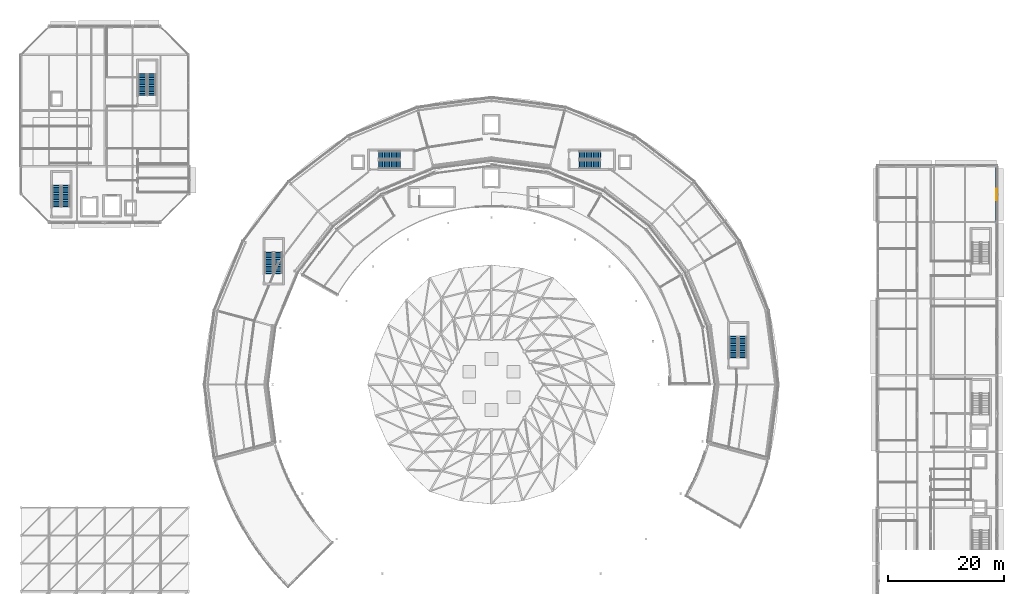
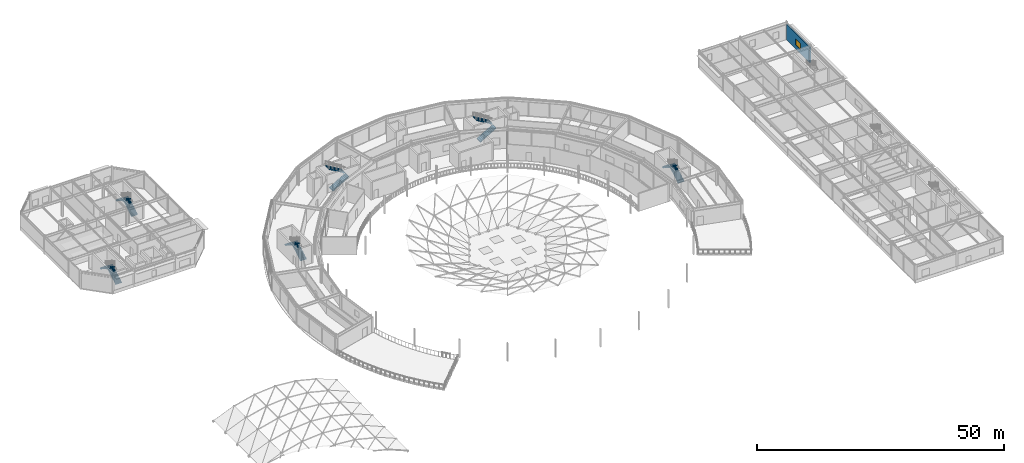
# One storey, part 91 of 116: 12 stair flights, 1 wall, 1 window, 1 opening, 6 elements without a shape of their own.
"""IFC4 building model written with IfcOpenShell, lengths in metres."""

from ifc_helpers import new_model, si_unit, direction, frame, frame_2d, origin, place, context, subcontext, project, spatial, polyline, rectangle, outline, extrude, material, layer, layer_set, type_object, element, fill, aggregate, save


model = new_model("IFC4")

# Units and contexts
model_context = context("Model", 3, precision=1e-05, world=origin(), true_north=direction((0.0, 1.0)))
body_context = subcontext(model_context, "Body", "Model", "MODEL_VIEW")
ifc_project = project(units=[si_unit("LENGTHUNIT", "METRE"), si_unit("AREAUNIT", "SQUARE_METRE"), si_unit("VOLUMEUNIT", "CUBIC_METRE"), si_unit("PLANEANGLEUNIT", "RADIAN"), si_unit("MASSUNIT", "GRAM", prefix="KILO")], contexts=[model_context])

# Site, building, storey
site_placement = place(None, origin())
site = spatial("IfcSite", under=ifc_project, at=site_placement, CompositionType="ELEMENT")
building_placement = place(site_placement, origin())
building = spatial("IfcBuilding", under=site, at=building_placement, Name="Almandine Court Research Institute", CompositionType="ELEMENT")
storey_placement = place(building_placement, frame((0.0, 0.0, 14.35009765625)))
storey = spatial("IfcBuildingStorey", under=building, at=storey_placement, Name="L03", CompositionType="ELEMENT", Elevation=14.35009765625)

# Wall, opening, window
ifc_material_1 = material(Name="Insulated Ochre Terracotta Rainscreen Wall", Category="masonry")
ifc_layer = layer(ifc_material_1, 0.2900390625)
ifc_layer_set = layer_set([ifc_layer], Name="Insulated Ochre Terracotta Rainscreen Wall")
wall_type = type_object("IfcWallType", Name="Wall-EXT-TERR-290", PredefinedType="SOLIDWALL", material=ifc_layer_set)
wall_placement = place(storey_placement, frame((174.0, 93.450927734375, 0.0), z_axis=(0.0, 0.0, 1.0), x_axis=(0.0, -1.0, 0.0)))
wall = element("IfcWall", 1, at=wall_placement, inside=storey, type_object=wall_type, Name="L03 Wet Lab East Facade Wall 8", PredefinedType="SOLIDWALL", context=body_context, shape_type="SweptSolid", body=[
    extrude(rectangle(XDim=9.447021484375, YDim=0.2900390625, at=frame_2d((4.7236328125, 0.0))), origin(), (0.0, 0.0, 1.0), 3.8369140625),
])
opening_placement = place(wall_placement, frame((3.702880859375, 0.0, 0.949951171875)))
opening = element("IfcOpeningElement", 2, at=opening_placement, cuts=wall, Name="Opening WN-18", PredefinedType="OPENING", context=body_context, shape_type="SweptSolid", body=[
    extrude(rectangle(XDim=2.0400390625, YDim=1.56005859375, at=frame_2d((1.02001953125, 0.780029296875))), frame((0.0, 0.155029296875, 0.0), z_axis=(0.0, -1.0, 0.0), x_axis=(1.0, 0.0, 0.0)), (0.0, 0.0, 1.0), 0.31005859375),
])
ifc_material_2 = material(Name="Thermally Broken Low-E Double-Glazed Window", Category="glass")
window_type = type_object("IfcWindowType", Name="Win-WN-18-2040x1560", PartitioningType="SINGLE_PANEL", PredefinedType="WINDOW", material=ifc_material_2)
window_placement = place(opening_placement, origin())
window = element("IfcWindow", 3, at=window_placement, inside=storey, type_object=window_type, Name="L03 Modular Recessed Low-E Window 120", OverallHeight=1.56005859375, OverallWidth=2.0400390625, PartitioningType="SINGLE_PANEL", PredefinedType="WINDOW", context=body_context, shape_type="SweptSolid", body=[
    extrude(rectangle(XDim=2.0400390625, YDim=1.56005859375, at=frame_2d((1.02001953125, 0.780029296875))), frame((0.0, 0.030029296875, 0.0), z_axis=(0.0, -1.0, 0.0), x_axis=(1.0, 0.0, 0.0)), (0.0, 0.0, 1.0), 0.06005859375),
])
fill(opening, window)

# Stair, stair flights
ifc_material_3 = material(Name="Concrete C35/45", Category="concrete")
stair_type = type_object("IfcStairType", Name="Stair-Core-26R", PredefinedType="HALF_TURN_STAIR", material=ifc_material_3)
stair_1_placement = place(storey_placement, origin())
stair_1 = element("IfcStair", 4, at=stair_1_placement, inside=storey, type_object=stair_type, Name="L03 Cleanroom Pavilion South Exit Stair", PredefinedType="HALF_TURN_STAIR")
stair_flight_type = type_object("IfcStairFlightType", Name="Flight-Core-26R", PredefinedType="STRAIGHT", material=ifc_material_3)
stair_flight_1_placement = place(storey_placement, frame((13.68994140625, 86.64990234375, 0.0), z_axis=(0.0, 0.0, 1.0), x_axis=(0.0, 1.0, 0.0)))
stair_flight_1 = element("IfcStairFlight", 5, at=stair_flight_1_placement, type_object=stair_flight_type, Name="ST-05 flight 1", NumberOfRisers=13, NumberOfTreads=12, PredefinedType="STRAIGHT", RiserHeight=0.175, TreadLength=0.3, context=body_context, shape_type="SweptSolid", body=[
    extrude(outline(polyline([(-0.080078125, -0.139892578125), (-0.080078125, 0.0), (0.0, 0.0), (0.0, 0.175048828125), (0.300048828125, 0.175048828125), (0.300048828125, 0.35009765625), (0.60009765625, 0.35009765625), (0.60009765625, 0.52490234375), (0.89990234375, 0.52490234375), (0.89990234375, 0.699951171875), (1.199951171875, 0.699951171875), (1.199951171875, 0.875), (1.5, 0.875), (1.5, 1.050048828125), (1.800048828125, 1.050048828125), (1.800048828125, 1.22509765625), (2.10009765625, 1.22509765625), (2.10009765625, 1.39990234375), (2.39990234375, 1.39990234375), (2.39990234375, 1.574951171875), (2.699951171875, 1.574951171875), (2.699951171875, 1.75), (3.0, 1.75), (3.0, 1.925048828125), (3.300048828125, 1.925048828125), (3.300048828125, 2.10009765625), (3.60009765625, 2.10009765625), (3.60009765625, 2.27490234375), (3.679931640625, 2.27490234375), (3.679931640625, 2.114990234375), (3.60009765625, 1.914794921875), (0.3173828125, 0.0), (0.3173828125, -0.139892578125), (-0.080078125, -0.139892578125)])), frame((0.0, 0.7099609375, 0.0), z_axis=(0.0, -1.0, 0.0), x_axis=(1.0, 0.0, 0.0)), (0.0, 0.0, 1.0), 1.419921875),
])
stair_flight_2_placement = place(storey_placement, frame((12.110107421875, 90.25, 2.27490234375), z_axis=(0.0, 0.0, 1.0), x_axis=(0.0, -1.0, 0.0)))
stair_flight_2 = element("IfcStairFlight", 6, at=stair_flight_2_placement, type_object=stair_flight_type, Name="ST-05 flight 2", NumberOfRisers=13, NumberOfTreads=12, PredefinedType="STRAIGHT", RiserHeight=0.175, TreadLength=0.3, context=body_context, shape_type="SweptSolid", body=[
    extrude(outline(polyline([(-0.080078125, -0.139892578125), (-0.080078125, 0.0), (0.0, 0.0), (0.0, 0.175048828125), (0.300048828125, 0.175048828125), (0.300048828125, 0.35009765625), (0.60009765625, 0.35009765625), (0.60009765625, 0.52490234375), (0.89990234375, 0.52490234375), (0.89990234375, 0.699951171875), (1.199951171875, 0.699951171875), (1.199951171875, 0.875), (1.5, 0.875), (1.5, 1.050048828125), (1.800048828125, 1.050048828125), (1.800048828125, 1.22509765625), (2.10009765625, 1.22509765625), (2.10009765625, 1.39990234375), (2.39990234375, 1.39990234375), (2.39990234375, 1.574951171875), (2.699951171875, 1.574951171875), (2.699951171875, 1.75), (3.0, 1.75), (3.0, 1.925048828125), (3.300048828125, 1.925048828125), (3.300048828125, 2.10009765625), (3.60009765625, 2.10009765625), (3.60009765625, 2.27490234375), (3.679931640625, 2.27490234375), (3.679931640625, 2.114990234375), (3.60009765625, 1.914794921875), (0.3173828125, 0.0), (0.3173828125, -0.139892578125), (-0.080078125, -0.139892578125)])), frame((0.0, 0.7099609375, 0.0), z_axis=(0.0, -1.0, 0.0), x_axis=(1.0, 0.0, 0.0)), (0.0, 0.0, 1.0), 1.419921875),
])
aggregate(stair_1, [stair_flight_1, stair_flight_2])

stair_2_placement = place(storey_placement, origin())
stair_2 = element("IfcStair", 7, at=stair_2_placement, inside=storey, type_object=stair_type, Name="L03 Cleanroom Pavilion North Exit Stair", PredefinedType="HALF_TURN_STAIR")
stair_flight_3_placement = place(storey_placement, frame((28.489990234375, 105.85009765625, 0.0), z_axis=(0.0, 0.0, 1.0), x_axis=(0.0, 1.0, 0.0)))
stair_flight_3 = element("IfcStairFlight", 8, at=stair_flight_3_placement, type_object=stair_flight_type, Name="ST-06 flight 1", NumberOfRisers=13, NumberOfTreads=12, PredefinedType="STRAIGHT", RiserHeight=0.175, TreadLength=0.3, context=body_context, shape_type="SweptSolid", body=[
    extrude(outline(polyline([(-0.080078125, -0.139892578125), (-0.080078125, 0.0), (0.0, 0.0), (0.0, 0.175048828125), (0.300048828125, 0.175048828125), (0.300048828125, 0.35009765625), (0.60009765625, 0.35009765625), (0.60009765625, 0.52490234375), (0.89990234375, 0.52490234375), (0.89990234375, 0.699951171875), (1.199951171875, 0.699951171875), (1.199951171875, 0.875), (1.5, 0.875), (1.5, 1.050048828125), (1.800048828125, 1.050048828125), (1.800048828125, 1.22509765625), (2.10009765625, 1.22509765625), (2.10009765625, 1.39990234375), (2.39990234375, 1.39990234375), (2.39990234375, 1.574951171875), (2.699951171875, 1.574951171875), (2.699951171875, 1.75), (3.0, 1.75), (3.0, 1.925048828125), (3.300048828125, 1.925048828125), (3.300048828125, 2.10009765625), (3.60009765625, 2.10009765625), (3.60009765625, 2.27490234375), (3.679931640625, 2.27490234375), (3.679931640625, 2.114990234375), (3.60009765625, 1.914794921875), (0.3173828125, 0.0), (0.3173828125, -0.139892578125), (-0.080078125, -0.139892578125)])), frame((0.0, 0.7099609375, 0.0), z_axis=(0.0, -1.0, 0.0), x_axis=(1.0, 0.0, 0.0)), (0.0, 0.0, 1.0), 1.419921875),
])
stair_flight_4_placement = place(storey_placement, frame((26.909912109375, 109.449951171875, 2.27490234375), z_axis=(0.0, 0.0, 1.0), x_axis=(0.0, -1.0, 0.0)))
stair_flight_4 = element("IfcStairFlight", 9, at=stair_flight_4_placement, type_object=stair_flight_type, Name="ST-06 flight 2", NumberOfRisers=13, NumberOfTreads=12, PredefinedType="STRAIGHT", RiserHeight=0.175, TreadLength=0.3, context=body_context, shape_type="SweptSolid", body=[
    extrude(outline(polyline([(-0.080078125, -0.139892578125), (-0.080078125, 0.0), (0.0, 0.0), (0.0, 0.175048828125), (0.300048828125, 0.175048828125), (0.300048828125, 0.35009765625), (0.60009765625, 0.35009765625), (0.60009765625, 0.52490234375), (0.89990234375, 0.52490234375), (0.89990234375, 0.699951171875), (1.199951171875, 0.699951171875), (1.199951171875, 0.875), (1.5, 0.875), (1.5, 1.050048828125), (1.800048828125, 1.050048828125), (1.800048828125, 1.22509765625), (2.10009765625, 1.22509765625), (2.10009765625, 1.39990234375), (2.39990234375, 1.39990234375), (2.39990234375, 1.574951171875), (2.699951171875, 1.574951171875), (2.699951171875, 1.75), (3.0, 1.75), (3.0, 1.925048828125), (3.300048828125, 1.925048828125), (3.300048828125, 2.10009765625), (3.60009765625, 2.10009765625), (3.60009765625, 2.27490234375), (3.679931640625, 2.27490234375), (3.679931640625, 2.114990234375), (3.60009765625, 1.914794921875), (0.3173828125, 0.0), (0.3173828125, -0.139892578125), (-0.080078125, -0.139892578125)])), frame((0.0, 0.7099609375, 0.0), z_axis=(0.0, -1.0, 0.0), x_axis=(1.0, 0.0, 0.0)), (0.0, 0.0, 1.0), 1.419921875),
])
aggregate(stair_2, [stair_flight_3, stair_flight_4])

stair_3_placement = place(storey_placement, origin())
stair_3 = element("IfcStair", 10, at=stair_3_placement, inside=storey, type_object=stair_type, Name="L03 Drum Northeast Exit Stair", PredefinedType="HALF_TURN_STAIR")
stair_flight_5_placement = place(storey_placement, frame((102.14990234375, 93.909912109375, 0.0), z_axis=(0.0, 0.0, 1.0), x_axis=(1.0, 0.0, 0.0)))
stair_flight_5 = element("IfcStairFlight", 11, at=stair_flight_5_placement, type_object=stair_flight_type, Name="ST-09 flight 1", NumberOfRisers=13, NumberOfTreads=12, PredefinedType="STRAIGHT", RiserHeight=0.175, TreadLength=0.3, context=body_context, shape_type="SweptSolid", body=[
    extrude(outline(polyline([(-0.080078125, -0.139892578125), (-0.080078125, 0.0), (0.0, 0.0), (0.0, 0.175048828125), (0.300048828125, 0.175048828125), (0.300048828125, 0.35009765625), (0.60009765625, 0.35009765625), (0.60009765625, 0.52490234375), (0.89990234375, 0.52490234375), (0.89990234375, 0.699951171875), (1.199951171875, 0.699951171875), (1.199951171875, 0.875), (1.5, 0.875), (1.5, 1.050048828125), (1.800048828125, 1.050048828125), (1.800048828125, 1.22509765625), (2.10009765625, 1.22509765625), (2.10009765625, 1.39990234375), (2.39990234375, 1.39990234375), (2.39990234375, 1.574951171875), (2.699951171875, 1.574951171875), (2.699951171875, 1.75), (3.0, 1.75), (3.0, 1.925048828125), (3.300048828125, 1.925048828125), (3.300048828125, 2.10009765625), (3.60009765625, 2.10009765625), (3.60009765625, 2.27490234375), (3.679931640625, 2.27490234375), (3.679931640625, 2.114990234375), (3.60009765625, 1.914794921875), (0.3173828125, 0.0), (0.3173828125, -0.139892578125), (-0.080078125, -0.139892578125)])), frame((0.0, 0.7099609375, 0.0), z_axis=(0.0, -1.0, 0.0), x_axis=(1.0, 0.0, 0.0)), (0.0, 0.0, 1.0), 1.419921875),
])
stair_flight_6_placement = place(storey_placement, frame((105.75, 95.489990234375, 2.27490234375), z_axis=(0.0, 0.0, 1.0), x_axis=(-1.0, 0.0, 0.0)))
stair_flight_6 = element("IfcStairFlight", 12, at=stair_flight_6_placement, type_object=stair_flight_type, Name="ST-09 flight 2", NumberOfRisers=13, NumberOfTreads=12, PredefinedType="STRAIGHT", RiserHeight=0.175, TreadLength=0.3, context=body_context, shape_type="SweptSolid", body=[
    extrude(outline(polyline([(-0.080078125, -0.139892578125), (-0.080078125, 0.0), (0.0, 0.0), (0.0, 0.175048828125), (0.300048828125, 0.175048828125), (0.300048828125, 0.35009765625), (0.60009765625, 0.35009765625), (0.60009765625, 0.52490234375), (0.89990234375, 0.52490234375), (0.89990234375, 0.699951171875), (1.199951171875, 0.699951171875), (1.199951171875, 0.875), (1.5, 0.875), (1.5, 1.050048828125), (1.800048828125, 1.050048828125), (1.800048828125, 1.22509765625), (2.10009765625, 1.22509765625), (2.10009765625, 1.39990234375), (2.39990234375, 1.39990234375), (2.39990234375, 1.574951171875), (2.699951171875, 1.574951171875), (2.699951171875, 1.75), (3.0, 1.75), (3.0, 1.925048828125), (3.300048828125, 1.925048828125), (3.300048828125, 2.10009765625), (3.60009765625, 2.10009765625), (3.60009765625, 2.27490234375), (3.679931640625, 2.27490234375), (3.679931640625, 2.114990234375), (3.60009765625, 1.914794921875), (0.3173828125, 0.0), (0.3173828125, -0.139892578125), (-0.080078125, -0.139892578125)])), frame((0.0, 0.7099609375, 0.0), z_axis=(0.0, -1.0, 0.0), x_axis=(1.0, 0.0, 0.0)), (0.0, 0.0, 1.0), 1.419921875),
])
aggregate(stair_3, [stair_flight_5, stair_flight_6])

stair_4_placement = place(storey_placement, origin())
stair_4 = element("IfcStair", 13, at=stair_4_placement, inside=storey, type_object=stair_type, Name="L03 Drum Northwest Exit Stair", PredefinedType="HALF_TURN_STAIR")
stair_flight_7_placement = place(storey_placement, frame((67.64990234375, 93.909912109375, 0.0), z_axis=(0.0, 0.0, 1.0), x_axis=(1.0, 0.0, 0.0)))
stair_flight_7 = element("IfcStairFlight", 14, at=stair_flight_7_placement, type_object=stair_flight_type, Name="ST-10 flight 1", NumberOfRisers=13, NumberOfTreads=12, PredefinedType="STRAIGHT", RiserHeight=0.175, TreadLength=0.3, context=body_context, shape_type="SweptSolid", body=[
    extrude(outline(polyline([(-0.080078125, -0.139892578125), (-0.080078125, 0.0), (0.0, 0.0), (0.0, 0.175048828125), (0.300048828125, 0.175048828125), (0.300048828125, 0.35009765625), (0.60009765625, 0.35009765625), (0.60009765625, 0.52490234375), (0.89990234375, 0.52490234375), (0.89990234375, 0.699951171875), (1.199951171875, 0.699951171875), (1.199951171875, 0.875), (1.5, 0.875), (1.5, 1.050048828125), (1.800048828125, 1.050048828125), (1.800048828125, 1.22509765625), (2.10009765625, 1.22509765625), (2.10009765625, 1.39990234375), (2.39990234375, 1.39990234375), (2.39990234375, 1.574951171875), (2.699951171875, 1.574951171875), (2.699951171875, 1.75), (3.0, 1.75), (3.0, 1.925048828125), (3.300048828125, 1.925048828125), (3.300048828125, 2.10009765625), (3.60009765625, 2.10009765625), (3.60009765625, 2.27490234375), (3.679931640625, 2.27490234375), (3.679931640625, 2.114990234375), (3.60009765625, 1.914794921875), (0.3173828125, 0.0), (0.3173828125, -0.139892578125), (-0.080078125, -0.139892578125)])), frame((0.0, 0.7099609375, 0.0), z_axis=(0.0, -1.0, 0.0), x_axis=(1.0, 0.0, 0.0)), (0.0, 0.0, 1.0), 1.419921875),
])
stair_flight_8_placement = place(storey_placement, frame((71.25, 95.489990234375, 2.27490234375), z_axis=(0.0, 0.0, 1.0), x_axis=(-1.0, 0.0, 0.0)))
stair_flight_8 = element("IfcStairFlight", 15, at=stair_flight_8_placement, type_object=stair_flight_type, Name="ST-10 flight 2", NumberOfRisers=13, NumberOfTreads=12, PredefinedType="STRAIGHT", RiserHeight=0.175, TreadLength=0.3, context=body_context, shape_type="SweptSolid", body=[
    extrude(outline(polyline([(-0.080078125, -0.139892578125), (-0.080078125, 0.0), (0.0, 0.0), (0.0, 0.175048828125), (0.300048828125, 0.175048828125), (0.300048828125, 0.35009765625), (0.60009765625, 0.35009765625), (0.60009765625, 0.52490234375), (0.89990234375, 0.52490234375), (0.89990234375, 0.699951171875), (1.199951171875, 0.699951171875), (1.199951171875, 0.875), (1.5, 0.875), (1.5, 1.050048828125), (1.800048828125, 1.050048828125), (1.800048828125, 1.22509765625), (2.10009765625, 1.22509765625), (2.10009765625, 1.39990234375), (2.39990234375, 1.39990234375), (2.39990234375, 1.574951171875), (2.699951171875, 1.574951171875), (2.699951171875, 1.75), (3.0, 1.75), (3.0, 1.925048828125), (3.300048828125, 1.925048828125), (3.300048828125, 2.10009765625), (3.60009765625, 2.10009765625), (3.60009765625, 2.27490234375), (3.679931640625, 2.27490234375), (3.679931640625, 2.114990234375), (3.60009765625, 1.914794921875), (0.3173828125, 0.0), (0.3173828125, -0.139892578125), (-0.080078125, -0.139892578125)])), frame((0.0, 0.7099609375, 0.0), z_axis=(0.0, -1.0, 0.0), x_axis=(1.0, 0.0, 0.0)), (0.0, 0.0, 1.0), 1.419921875),
])
aggregate(stair_4, [stair_flight_7, stair_flight_8])

stair_5_placement = place(storey_placement, origin())
stair_5 = element("IfcStair", 16, at=stair_5_placement, inside=storey, type_object=stair_type, Name="L03 Drum East Exit Stair", PredefinedType="HALF_TURN_STAIR")
stair_flight_9_placement = place(storey_placement, frame((130.2900390625, 60.64990234375, 0.0), z_axis=(0.0, 0.0, 1.0), x_axis=(0.0, 1.0, 0.0)))
stair_flight_9 = element("IfcStairFlight", 17, at=stair_flight_9_placement, type_object=stair_flight_type, Name="ST-14 flight 1", NumberOfRisers=13, NumberOfTreads=12, PredefinedType="STRAIGHT", RiserHeight=0.175, TreadLength=0.3, context=body_context, shape_type="SweptSolid", body=[
    extrude(outline(polyline([(-0.080078125, -0.139892578125), (-0.080078125, 0.0), (0.0, 0.0), (0.0, 0.175048828125), (0.300048828125, 0.175048828125), (0.300048828125, 0.35009765625), (0.60009765625, 0.35009765625), (0.60009765625, 0.52490234375), (0.89990234375, 0.52490234375), (0.89990234375, 0.699951171875), (1.199951171875, 0.699951171875), (1.199951171875, 0.875), (1.5, 0.875), (1.5, 1.050048828125), (1.800048828125, 1.050048828125), (1.800048828125, 1.22509765625), (2.10009765625, 1.22509765625), (2.10009765625, 1.39990234375), (2.39990234375, 1.39990234375), (2.39990234375, 1.574951171875), (2.699951171875, 1.574951171875), (2.699951171875, 1.75), (3.0, 1.75), (3.0, 1.925048828125), (3.300048828125, 1.925048828125), (3.300048828125, 2.10009765625), (3.60009765625, 2.10009765625), (3.60009765625, 2.27490234375), (3.679931640625, 2.27490234375), (3.679931640625, 2.114990234375), (3.60009765625, 1.914794921875), (0.3173828125, 0.0), (0.3173828125, -0.139892578125), (-0.080078125, -0.139892578125)])), frame((0.0, 0.7099609375, 0.0), z_axis=(0.0, -1.0, 0.0), x_axis=(1.0, 0.0, 0.0)), (0.0, 0.0, 1.0), 1.419921875),
])
stair_flight_10_placement = place(storey_placement, frame((128.7099609375, 64.25, 2.27490234375), z_axis=(0.0, 0.0, 1.0), x_axis=(0.0, -1.0, 0.0)))
stair_flight_10 = element("IfcStairFlight", 18, at=stair_flight_10_placement, type_object=stair_flight_type, Name="ST-14 flight 2", NumberOfRisers=13, NumberOfTreads=12, PredefinedType="STRAIGHT", RiserHeight=0.175, TreadLength=0.3, context=body_context, shape_type="SweptSolid", body=[
    extrude(outline(polyline([(-0.080078125, -0.139892578125), (-0.080078125, 0.0), (0.0, 0.0), (0.0, 0.175048828125), (0.300048828125, 0.175048828125), (0.300048828125, 0.35009765625), (0.60009765625, 0.35009765625), (0.60009765625, 0.52490234375), (0.89990234375, 0.52490234375), (0.89990234375, 0.699951171875), (1.199951171875, 0.699951171875), (1.199951171875, 0.875), (1.5, 0.875), (1.5, 1.050048828125), (1.800048828125, 1.050048828125), (1.800048828125, 1.22509765625), (2.10009765625, 1.22509765625), (2.10009765625, 1.39990234375), (2.39990234375, 1.39990234375), (2.39990234375, 1.574951171875), (2.699951171875, 1.574951171875), (2.699951171875, 1.75), (3.0, 1.75), (3.0, 1.925048828125), (3.300048828125, 1.925048828125), (3.300048828125, 2.10009765625), (3.60009765625, 2.10009765625), (3.60009765625, 2.27490234375), (3.679931640625, 2.27490234375), (3.679931640625, 2.114990234375), (3.60009765625, 1.914794921875), (0.3173828125, 0.0), (0.3173828125, -0.139892578125), (-0.080078125, -0.139892578125)])), frame((0.0, 0.7099609375, 0.0), z_axis=(0.0, -1.0, 0.0), x_axis=(1.0, 0.0, 0.0)), (0.0, 0.0, 1.0), 1.419921875),
])
aggregate(stair_5, [stair_flight_9, stair_flight_10])

stair_6_placement = place(storey_placement, origin())
stair_6 = element("IfcStair", 19, at=stair_6_placement, inside=storey, type_object=stair_type, Name="L03 Drum West Exit Stair", PredefinedType="HALF_TURN_STAIR")
stair_flight_11_placement = place(storey_placement, frame((50.2900390625, 75.14990234375, 0.0), z_axis=(0.0, 0.0, 1.0), x_axis=(0.0, 1.0, 0.0)))
stair_flight_11 = element("IfcStairFlight", 20, at=stair_flight_11_placement, type_object=stair_flight_type, Name="ST-15 flight 1", NumberOfRisers=13, NumberOfTreads=12, PredefinedType="STRAIGHT", RiserHeight=0.175, TreadLength=0.3, context=body_context, shape_type="SweptSolid", body=[
    extrude(outline(polyline([(-0.080078125, -0.139892578125), (-0.080078125, 0.0), (0.0, 0.0), (0.0, 0.175048828125), (0.300048828125, 0.175048828125), (0.300048828125, 0.35009765625), (0.60009765625, 0.35009765625), (0.60009765625, 0.52490234375), (0.89990234375, 0.52490234375), (0.89990234375, 0.699951171875), (1.199951171875, 0.699951171875), (1.199951171875, 0.875), (1.5, 0.875), (1.5, 1.050048828125), (1.800048828125, 1.050048828125), (1.800048828125, 1.22509765625), (2.10009765625, 1.22509765625), (2.10009765625, 1.39990234375), (2.39990234375, 1.39990234375), (2.39990234375, 1.574951171875), (2.699951171875, 1.574951171875), (2.699951171875, 1.75), (3.0, 1.75), (3.0, 1.925048828125), (3.300048828125, 1.925048828125), (3.300048828125, 2.10009765625), (3.60009765625, 2.10009765625), (3.60009765625, 2.27490234375), (3.679931640625, 2.27490234375), (3.679931640625, 2.114990234375), (3.60009765625, 1.914794921875), (0.3173828125, 0.0), (0.3173828125, -0.139892578125), (-0.080078125, -0.139892578125)])), frame((0.0, 0.7099609375, 0.0), z_axis=(0.0, -1.0, 0.0), x_axis=(1.0, 0.0, 0.0)), (0.0, 0.0, 1.0), 1.419921875),
])
stair_flight_12_placement = place(storey_placement, frame((48.7099609375, 78.75, 2.27490234375), z_axis=(0.0, 0.0, 1.0), x_axis=(0.0, -1.0, 0.0)))
stair_flight_12 = element("IfcStairFlight", 21, at=stair_flight_12_placement, type_object=stair_flight_type, Name="ST-15 flight 2", NumberOfRisers=13, NumberOfTreads=12, PredefinedType="STRAIGHT", RiserHeight=0.175, TreadLength=0.3, context=body_context, shape_type="SweptSolid", body=[
    extrude(outline(polyline([(-0.080078125, -0.139892578125), (-0.080078125, 0.0), (0.0, 0.0), (0.0, 0.175048828125), (0.300048828125, 0.175048828125), (0.300048828125, 0.35009765625), (0.60009765625, 0.35009765625), (0.60009765625, 0.52490234375), (0.89990234375, 0.52490234375), (0.89990234375, 0.699951171875), (1.199951171875, 0.699951171875), (1.199951171875, 0.875), (1.5, 0.875), (1.5, 1.050048828125), (1.800048828125, 1.050048828125), (1.800048828125, 1.22509765625), (2.10009765625, 1.22509765625), (2.10009765625, 1.39990234375), (2.39990234375, 1.39990234375), (2.39990234375, 1.574951171875), (2.699951171875, 1.574951171875), (2.699951171875, 1.75), (3.0, 1.75), (3.0, 1.925048828125), (3.300048828125, 1.925048828125), (3.300048828125, 2.10009765625), (3.60009765625, 2.10009765625), (3.60009765625, 2.27490234375), (3.679931640625, 2.27490234375), (3.679931640625, 2.114990234375), (3.60009765625, 1.914794921875), (0.3173828125, 0.0), (0.3173828125, -0.139892578125), (-0.080078125, -0.139892578125)])), frame((0.0, 0.7099609375, 0.0), z_axis=(0.0, -1.0, 0.0), x_axis=(1.0, 0.0, 0.0)), (0.0, 0.0, 1.0), 1.419921875),
])
aggregate(stair_6, [stair_flight_11, stair_flight_12])

save(model, "model.ifc")
